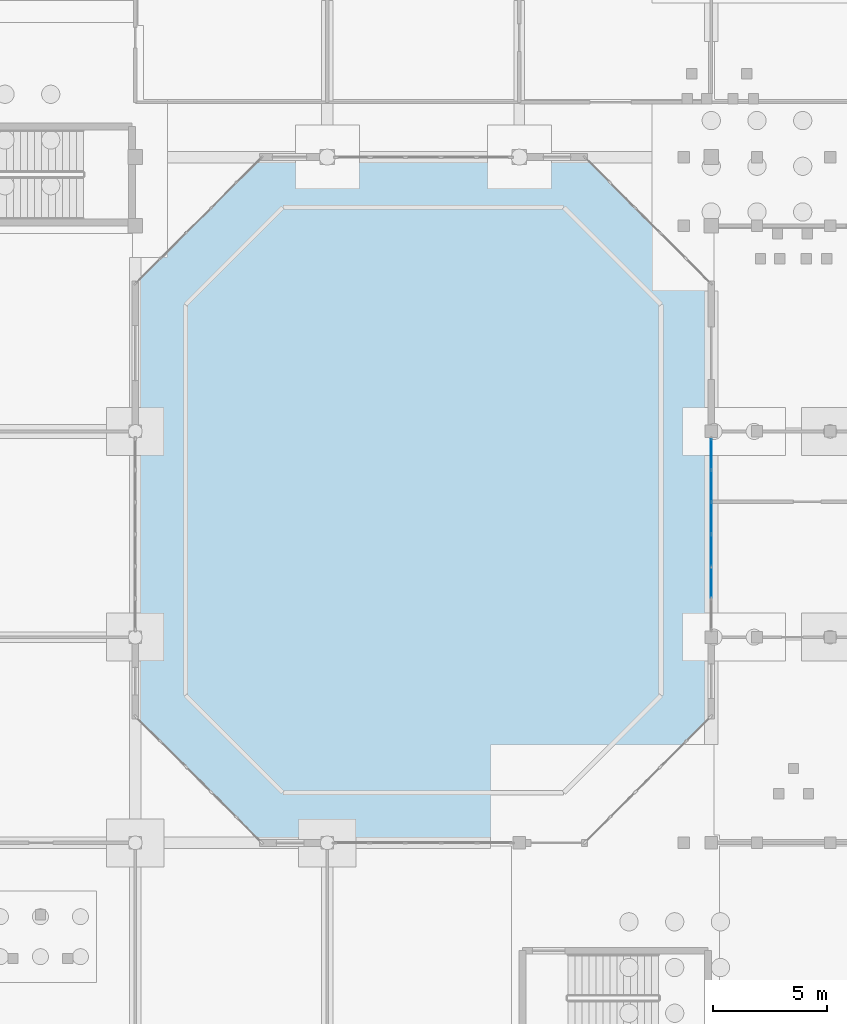
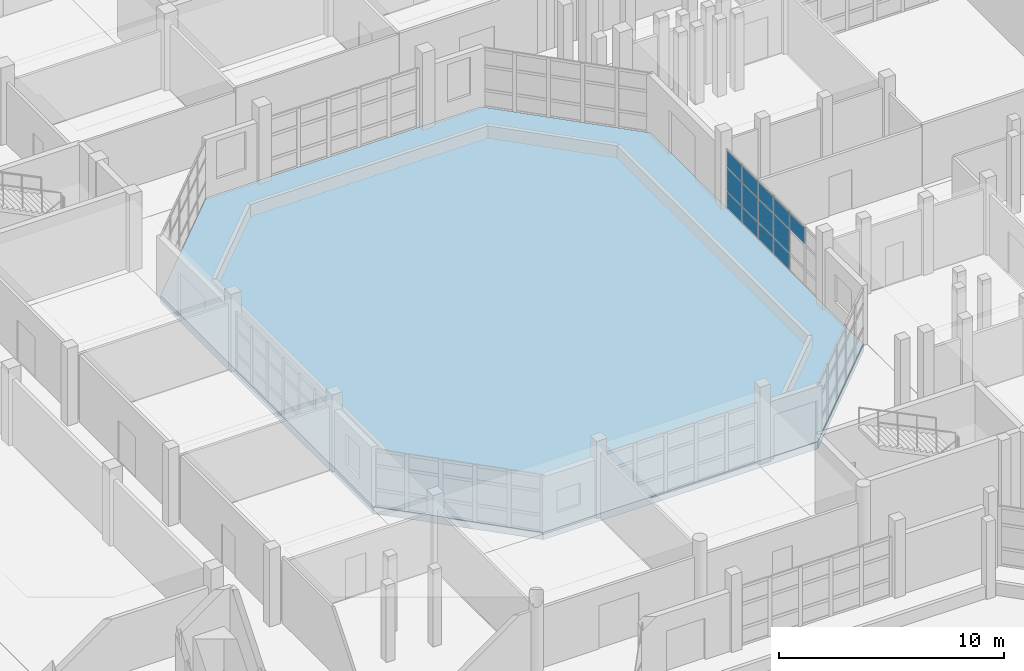
# One storey, part 48 of 88: 13 plates, 1 slab, 1 element without a shape of its own.
"""IFC4 building model written with IfcOpenShell, lengths in metres."""

from ifc_helpers import new_model, si_unit, direction, frame, origin, origin_2d, place, context, subcontext, project, spatial, polyline, rectangle, outline, extrude, material, layer, layer_set, type_object, element, aggregate, save


model = new_model("IFC4")

# Units and contexts
model_context = context("Model", 3, precision=1e-05, world=origin(), true_north=direction((0.0, 1.0)))
body_context = subcontext(model_context, "Body", "Model", "MODEL_VIEW")
ifc_project = project(units=[si_unit("LENGTHUNIT", "METRE"), si_unit("AREAUNIT", "SQUARE_METRE"), si_unit("VOLUMEUNIT", "CUBIC_METRE"), si_unit("PLANEANGLEUNIT", "RADIAN"), si_unit("MASSUNIT", "GRAM", prefix="KILO")], contexts=[model_context])

# Site, building, storey
site_placement = place(None, origin())
site = spatial("IfcSite", under=ifc_project, at=site_placement, CompositionType="ELEMENT")
building_placement = place(site_placement, origin())
building = spatial("IfcBuilding", under=site, at=building_placement, Name="Vanh Quang Courtyard School", CompositionType="ELEMENT")
storey_placement = place(building_placement, origin())
storey = spatial("IfcBuildingStorey", under=building, at=storey_placement, Name="L00", CompositionType="ELEMENT", Elevation=0.0)

# Curtain wall, plates
ifc_material_1 = material(Name="Thermally broken aluminium unitised curtain wall", Category="aluminium")
curtain_wall_type = type_object("IfcCurtainWallType", Name="CW-SYS-18", PredefinedType="NOTDEFINED", material=ifc_material_1)
curtain_wall_placement = place(storey_placement, origin())
curtain_wall = element("IfcCurtainWall", 1, at=curtain_wall_placement, inside=storey, type_object=curtain_wall_type, Name="Curtain Wall CW-18 (L00)", PredefinedType="NOTDEFINED")
ifc_material_2 = material(Name="Low-E laminated double glazing", Category="glass")
ifc_layer_1 = layer(ifc_material_2, 0.031982421875)
ifc_layer_set_1 = layer_set([ifc_layer_1], Name="Low-E laminated double glazing")
plate_type = type_object("IfcPlateType", Name="CW-PNL-32", PredefinedType="CURTAIN_PANEL", material=ifc_layer_set_1)
plate_1_placement = place(storey_placement, frame((111.0, 52.79150390625, 2.280029296875), z_axis=(0.0, 0.0, 1.0), x_axis=(0.0, 1.0, 0.0)))
plate_1 = element("IfcPlate", 2, at=plate_1_placement, type_object=plate_type, Name="CW-18 panel 2.3", PredefinedType="CURTAIN_PANEL", context=body_context, shape_type="SweptSolid", body=[
    extrude(rectangle(XDim=1.345703125, YDim=0.031982421875, at=origin_2d()), origin(), (0.0, 0.0, 1.0), 0.8798828125),
])
plate_2_placement = place(storey_placement, frame((111.0, 54.197265625, 0.06005859375), z_axis=(0.0, 0.0, 1.0), x_axis=(0.0, 1.0, 0.0)))
plate_2 = element("IfcPlate", 3, at=plate_2_placement, type_object=plate_type, Name="CW-18 panel 3.1", PredefinedType="CURTAIN_PANEL", context=body_context, shape_type="SweptSolid", body=[
    extrude(rectangle(XDim=1.345703125, YDim=0.031982421875, at=origin_2d()), origin(), (0.0, 0.0, 1.0), 0.860107421875),
])
plate_3_placement = place(storey_placement, frame((111.0, 54.197265625, 0.97998046875), z_axis=(0.0, 0.0, 1.0), x_axis=(0.0, 1.0, 0.0)))
plate_3 = element("IfcPlate", 4, at=plate_3_placement, type_object=plate_type, Name="CW-18 panel 3.2", PredefinedType="CURTAIN_PANEL", context=body_context, shape_type="SweptSolid", body=[
    extrude(rectangle(XDim=1.345703125, YDim=0.031982421875, at=origin_2d()), origin(), (0.0, 0.0, 1.0), 1.239990234375),
])
plate_4_placement = place(storey_placement, frame((111.0, 54.197265625, 2.280029296875), z_axis=(0.0, 0.0, 1.0), x_axis=(0.0, 1.0, 0.0)))
plate_4 = element("IfcPlate", 5, at=plate_4_placement, type_object=plate_type, Name="CW-18 panel 3.3", PredefinedType="CURTAIN_PANEL", context=body_context, shape_type="SweptSolid", body=[
    extrude(rectangle(XDim=1.345703125, YDim=0.031982421875, at=origin_2d()), origin(), (0.0, 0.0, 1.0), 0.8798828125),
])
plate_5_placement = place(storey_placement, frame((111.0, 55.602783203125, 0.06005859375), z_axis=(0.0, 0.0, 1.0), x_axis=(0.0, 1.0, 0.0)))
plate_5 = element("IfcPlate", 6, at=plate_5_placement, type_object=plate_type, Name="CW-18 panel 4.1", PredefinedType="CURTAIN_PANEL", context=body_context, shape_type="SweptSolid", body=[
    extrude(rectangle(XDim=1.345703125, YDim=0.031982421875, at=origin_2d()), origin(), (0.0, 0.0, 1.0), 0.860107421875),
])
plate_6_placement = place(storey_placement, frame((111.0, 55.602783203125, 0.97998046875), z_axis=(0.0, 0.0, 1.0), x_axis=(0.0, 1.0, 0.0)))
plate_6 = element("IfcPlate", 7, at=plate_6_placement, type_object=plate_type, Name="CW-18 panel 4.2", PredefinedType="CURTAIN_PANEL", context=body_context, shape_type="SweptSolid", body=[
    extrude(rectangle(XDim=1.345703125, YDim=0.031982421875, at=origin_2d()), origin(), (0.0, 0.0, 1.0), 1.239990234375),
])
plate_7_placement = place(storey_placement, frame((111.0, 55.602783203125, 2.280029296875), z_axis=(0.0, 0.0, 1.0), x_axis=(0.0, 1.0, 0.0)))
plate_7 = element("IfcPlate", 8, at=plate_7_placement, type_object=plate_type, Name="CW-18 panel 4.3", PredefinedType="CURTAIN_PANEL", context=body_context, shape_type="SweptSolid", body=[
    extrude(rectangle(XDim=1.345703125, YDim=0.031982421875, at=origin_2d()), origin(), (0.0, 0.0, 1.0), 0.8798828125),
])
plate_8_placement = place(storey_placement, frame((111.0, 57.008544921875, 0.06005859375), z_axis=(0.0, 0.0, 1.0), x_axis=(0.0, 1.0, 0.0)))
plate_8 = element("IfcPlate", 9, at=plate_8_placement, type_object=plate_type, Name="CW-18 panel 5.1", PredefinedType="CURTAIN_PANEL", context=body_context, shape_type="SweptSolid", body=[
    extrude(rectangle(XDim=1.345703125, YDim=0.031982421875, at=origin_2d()), origin(), (0.0, 0.0, 1.0), 0.860107421875),
])
plate_9_placement = place(storey_placement, frame((111.0, 57.008544921875, 0.97998046875), z_axis=(0.0, 0.0, 1.0), x_axis=(0.0, 1.0, 0.0)))
plate_9 = element("IfcPlate", 10, at=plate_9_placement, type_object=plate_type, Name="CW-18 panel 5.2", PredefinedType="CURTAIN_PANEL", context=body_context, shape_type="SweptSolid", body=[
    extrude(rectangle(XDim=1.345703125, YDim=0.031982421875, at=origin_2d()), origin(), (0.0, 0.0, 1.0), 1.239990234375),
])
plate_10_placement = place(storey_placement, frame((111.0, 57.008544921875, 2.280029296875), z_axis=(0.0, 0.0, 1.0), x_axis=(0.0, 1.0, 0.0)))
plate_10 = element("IfcPlate", 11, at=plate_10_placement, type_object=plate_type, Name="CW-18 panel 5.3", PredefinedType="CURTAIN_PANEL", context=body_context, shape_type="SweptSolid", body=[
    extrude(rectangle(XDim=1.345703125, YDim=0.031982421875, at=origin_2d()), origin(), (0.0, 0.0, 1.0), 0.8798828125),
])
plate_11_placement = place(storey_placement, frame((111.0, 58.399169921875, 0.06005859375), z_axis=(0.0, 0.0, 1.0), x_axis=(0.0, 1.0, 0.0)))
plate_11 = element("IfcPlate", 12, at=plate_11_placement, type_object=plate_type, Name="CW-18 panel 6.1", PredefinedType="CURTAIN_PANEL", context=body_context, shape_type="SweptSolid", body=[
    extrude(rectangle(XDim=1.315673828125, YDim=0.031982421875, at=origin_2d()), origin(), (0.0, 0.0, 1.0), 0.860107421875),
])
plate_12_placement = place(storey_placement, frame((111.0, 58.399169921875, 0.97998046875), z_axis=(0.0, 0.0, 1.0), x_axis=(0.0, 1.0, 0.0)))
plate_12 = element("IfcPlate", 13, at=plate_12_placement, type_object=plate_type, Name="CW-18 panel 6.2", PredefinedType="CURTAIN_PANEL", context=body_context, shape_type="SweptSolid", body=[
    extrude(rectangle(XDim=1.315673828125, YDim=0.031982421875, at=origin_2d()), origin(), (0.0, 0.0, 1.0), 1.239990234375),
])
plate_13_placement = place(storey_placement, frame((111.0, 58.399169921875, 2.280029296875), z_axis=(0.0, 0.0, 1.0), x_axis=(0.0, 1.0, 0.0)))
plate_13 = element("IfcPlate", 14, at=plate_13_placement, type_object=plate_type, Name="CW-18 panel 6.3", PredefinedType="CURTAIN_PANEL", context=body_context, shape_type="SweptSolid", body=[
    extrude(rectangle(XDim=1.315673828125, YDim=0.031982421875, at=origin_2d()), origin(), (0.0, 0.0, 1.0), 0.8798828125),
])
aggregate(curtain_wall, [plate_1, plate_2, plate_3, plate_4, plate_5, plate_6, plate_7, plate_8, plate_9, plate_10, plate_11, plate_12, plate_13])

# Slab
ifc_material_3 = material(Name="Concrete C30/37", Category="concrete")
ifc_layer_2 = layer(ifc_material_3, 0.39990234375)
ifc_layer_set_2 = layer_set([ifc_layer_2], Name="Concrete C30/37")
slab_type = type_object("IfcSlabType", Name="SLB-APRON-400", PredefinedType="BASESLAB", material=ifc_layer_set_2)
slab_placement = place(storey_placement, frame((0.0, 0.0, -0.39990234375)))
element("IfcSlab", 15, at=slab_placement, inside=storey, type_object=slab_type, Name="Slab APR-01 (L00)", PredefinedType="BASESLAB", context=body_context, shape_type="SweptSolid", body=[
    extrude(outline(polyline([(85.800048828125, 46.944091796875), (91.343994140625, 41.39990234375), (105.4560546875, 41.39990234375), (111.0, 46.944091796875), (111.0, 65.85595703125), (105.4560546875, 71.39990234375), (91.343994140625, 71.39990234375), (85.800048828125, 65.85595703125), (85.800048828125, 46.944091796875)])), origin(), (0.0, 0.0, 1.0), 0.39990234375),
])

save(model, "model.ifc")
